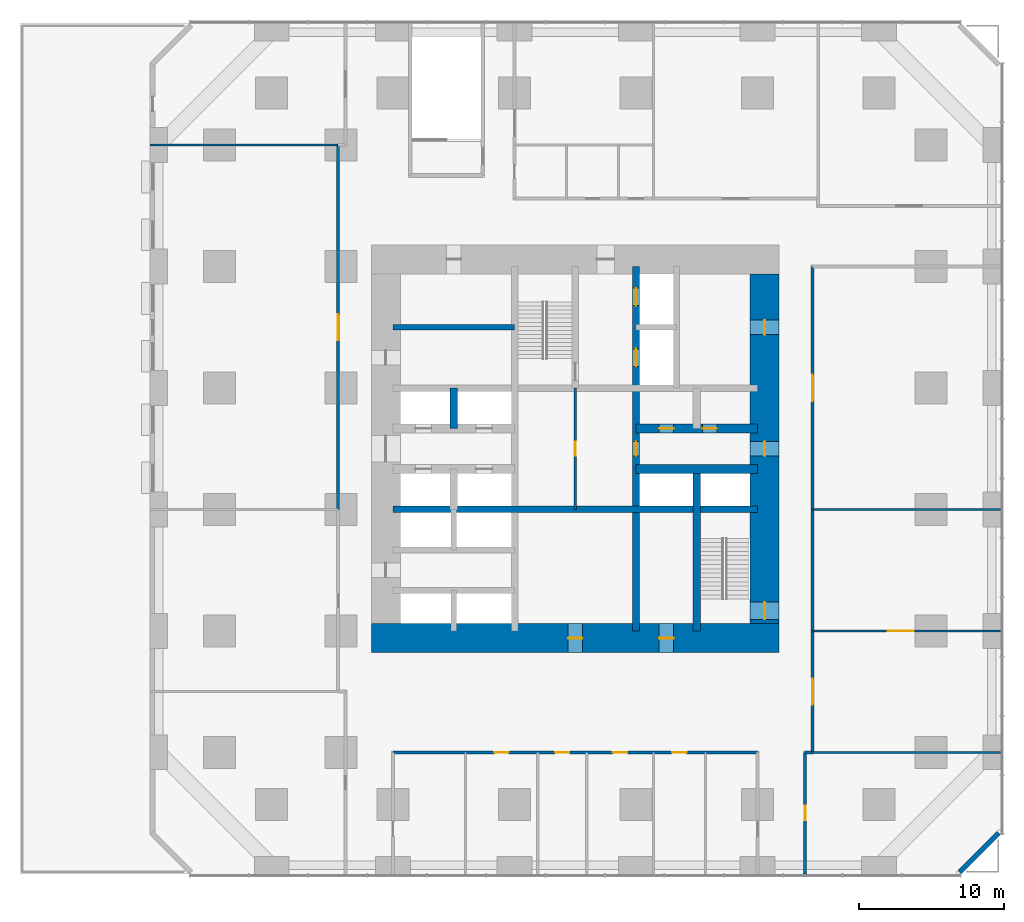
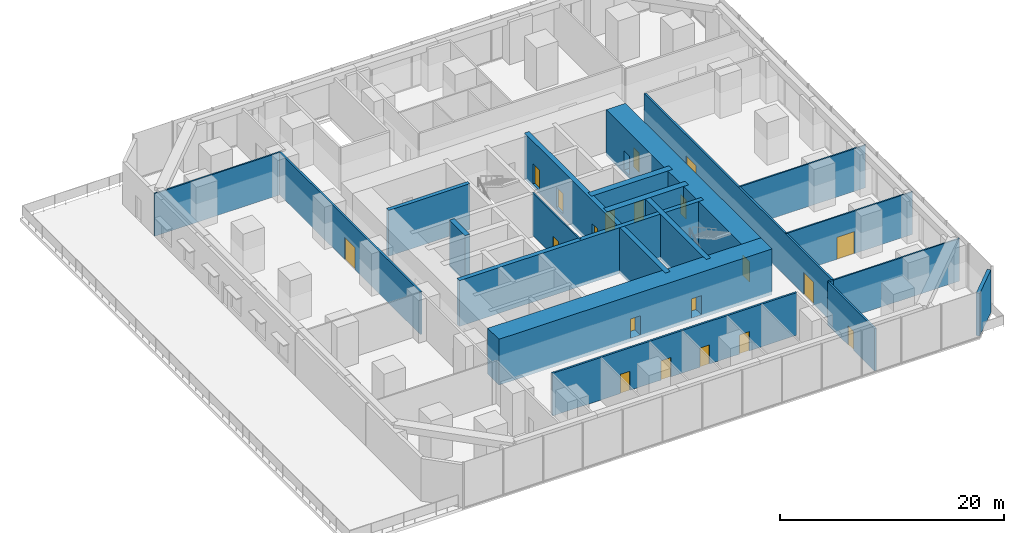
# One storey, part 8 of 12: 20 doors, 20 walls, 20 openings.
"""IFC4 building model written with IfcOpenShell, lengths in metres."""

from ifc_helpers import new_model, si_unit, direction, frame, frame_2d, origin, place, context, subcontext, project, spatial, rectangle, extrude, material, layer, layer_set, type_object, element, fill, save


model = new_model("IFC4")

# Units and contexts
model_context = context("Model", 3, precision=1e-05, world=origin(), true_north=direction((0.0, 1.0)))
body_context = subcontext(model_context, "Body", "Model", "MODEL_VIEW")
ifc_project = project(units=[si_unit("LENGTHUNIT", "METRE"), si_unit("AREAUNIT", "SQUARE_METRE"), si_unit("VOLUMEUNIT", "CUBIC_METRE"), si_unit("PLANEANGLEUNIT", "RADIAN"), si_unit("MASSUNIT", "GRAM", prefix="KILO")], contexts=[model_context])

# Site, building, storey
site_placement = place(None, origin())
site = spatial("IfcSite", under=ifc_project, at=site_placement, CompositionType="ELEMENT")
building_placement = place(site_placement, origin())
building = spatial("IfcBuilding", under=site, at=building_placement, Name="Dunama Terrace Hotel", CompositionType="ELEMENT")
storey_placement = place(building_placement, frame((0.0, 0.0, 22.0)))
storey = spatial("IfcBuildingStorey", under=building, at=storey_placement, Name="L04", CompositionType="ELEMENT", Elevation=22.0)

# Walls
ifc_material_1 = material(Name="Concrete C50/60", Category="concrete")
ifc_layer_1 = layer(ifc_material_1, 0.39990234375)
ifc_layer_set_1 = layer_set([ifc_layer_1], Name="Core inner wall 400")
wall_type_1 = type_object("IfcWallType", Name="Core inner wall 400", PredefinedType="SHEAR", material=ifc_layer_set_1)
wall_1_placement = place(storey_placement, frame((16.800048828125, 37.800048828125, -0.35009765625), z_axis=(0.0, 0.0, 1.0), x_axis=(1.0, 0.0, 0.0)))
element("IfcWall", 1, at=wall_1_placement, inside=storey, type_object=wall_type_1, Name="Core inner wall 400 L04", PredefinedType="SHEAR", context=body_context, shape_type="SweptSolid", body=[
    extrude(rectangle(XDim=8.39990234375, YDim=0.39990234375, at=frame_2d((4.199951171875, 0.0))), origin(), (0.0, 0.0, 1.0), 5.0),
])
ifc_material_2 = material(Name="Concrete C50/60", Category="concrete")
ifc_layer_2 = layer(ifc_material_2, 0.449951171875)
ifc_layer_set_2 = layer_set([ifc_layer_2], Name="Core inner wall 450")
wall_type_2 = type_object("IfcWallType", Name="Core inner wall 450", PredefinedType="SHEAR", material=ifc_layer_set_2)
wall_2_placement = place(storey_placement, frame((16.800048828125, 25.199951171875, -0.35009765625), z_axis=(0.0, 0.0, 1.0), x_axis=(1.0, 0.0, 0.0)))
element("IfcWall", 2, at=wall_2_placement, inside=storey, type_object=wall_type_2, Name="Core inner wall 450 L04", PredefinedType="SHEAR", context=body_context, shape_type="SweptSolid", body=[
    extrude(rectangle(XDim=25.199951171875, YDim=0.449951171875, at=frame_2d((12.60009765625, 0.0))), origin(), (0.0, 0.0, 1.0), 5.0),
])
ifc_material_3 = material(Name="Concrete C50/60", Category="concrete")
ifc_layer_3 = layer(ifc_material_3, 0.5)
ifc_layer_set_3 = layer_set([ifc_layer_3], Name="Core inner wall 500")
wall_type_3 = type_object("IfcWallType", Name="Core inner wall 500", PredefinedType="SHEAR", material=ifc_layer_set_3)
wall_3_placement = place(storey_placement, frame((21.0, 30.800048828125, -0.35009765625), z_axis=(0.0, 0.0, 1.0), x_axis=(0.0, 1.0, 0.0)))
element("IfcWall", 3, at=wall_3_placement, inside=storey, type_object=wall_type_3, Name="Core inner wall 500 L04", PredefinedType="SHEAR", context=body_context, shape_type="SweptSolid", body=[
    extrude(rectangle(XDim=2.800048828125, YDim=0.5, at=frame_2d((1.39990234375, 0.0))), origin(), (0.0, 0.0, 1.0), 5.0),
])

# Wall, openings, doors
wall_4_placement = place(storey_placement, frame((33.60009765625, 16.800048828125, -0.35009765625), z_axis=(0.0, 0.0, 1.0), x_axis=(0.0, 1.0, 0.0)))
wall_4 = element("IfcWall", 4, at=wall_4_placement, inside=storey, type_object=wall_type_3, Name="Core inner wall 500 L04", PredefinedType="SHEAR", context=body_context, shape_type="SweptSolid", body=[
    extrude(rectangle(XDim=25.199951171875, YDim=0.5, at=frame_2d((12.60009765625, 0.0))), origin(), (0.0, 0.0, 1.0), 5.0),
])
opening_1_placement = place(wall_4_placement, frame((22.5, 0.0, 0.35009765625)))
opening_1 = element("IfcOpeningElement", 5, at=opening_1_placement, cuts=wall_4, Name="Opening L04-010", PredefinedType="OPENING", context=body_context, shape_type="SweptSolid", body=[
    extrude(rectangle(XDim=1.199951171875, YDim=2.199951171875, at=frame_2d((0.60009765625, 1.10009765625))), frame((0.0, 0.260009765625, 0.0), z_axis=(0.0, -1.0, 0.0), x_axis=(1.0, 0.0, 0.0)), (0.0, 0.0, 1.0), 0.52001953125),
])
opening_2_placement = place(wall_4_placement, frame((18.300048828125, 0.0, 0.35009765625)))
opening_2 = element("IfcOpeningElement", 6, at=opening_2_placement, cuts=wall_4, Name="Opening L04-011", PredefinedType="OPENING", context=body_context, shape_type="SweptSolid", body=[
    extrude(rectangle(XDim=1.199951171875, YDim=2.199951171875, at=frame_2d((0.60009765625, 1.10009765625))), frame((0.0, 0.260009765625, 0.0), z_axis=(0.0, -1.0, 0.0), x_axis=(1.0, 0.0, 0.0)), (0.0, 0.0, 1.0), 0.52001953125),
])
opening_3_placement = place(wall_4_placement, frame((12.10009765625, 0.0, 0.35009765625)))
opening_3 = element("IfcOpeningElement", 7, at=opening_3_placement, cuts=wall_4, Name="Opening L04-016", PredefinedType="OPENING", context=body_context, shape_type="SweptSolid", body=[
    extrude(rectangle(XDim=1.0, YDim=2.10009765625, at=frame_2d((0.5, 1.050048828125))), frame((0.0, 0.260009765625, 0.0), z_axis=(0.0, -1.0, 0.0), x_axis=(1.0, 0.0, 0.0)), (0.0, 0.0, 1.0), 0.52001953125),
])
ifc_material_4 = material(Name="Stainless steel lift door", Category="steel")
door_type_1 = type_object("IfcDoorType", Name="Firefighting lift landing door 1200", OperationType="DOUBLE_DOOR_SLIDING", PredefinedType="DOOR", material=ifc_material_4)
door_1_placement = place(opening_1_placement, origin())
door_1 = element("IfcDoor", 8, at=door_1_placement, inside=storey, type_object=door_type_1, Name="Landing door FL1 L04-010, type LD2", OperationType="DOUBLE_DOOR_SLIDING", OverallHeight=2.199951171875, OverallWidth=1.199951171875, PredefinedType="DOOR", context=body_context, shape_type="SweptSolid", body=[
    extrude(rectangle(XDim=1.199951171875, YDim=2.199951171875, at=frame_2d((0.60009765625, 1.10009765625))), frame((0.0, 0.02490234375, 0.0), z_axis=(0.0, -1.0, 0.0), x_axis=(1.0, 0.0, 0.0)), (0.0, 0.0, 1.0), 0.050048828125),
])
fill(opening_1, door_1)
door_2_placement = place(opening_2_placement, origin())
door_2 = element("IfcDoor", 9, at=door_2_placement, inside=storey, type_object=door_type_1, Name="Landing door FL2 L04-011, type LD2", OperationType="DOUBLE_DOOR_SLIDING", OverallHeight=2.199951171875, OverallWidth=1.199951171875, PredefinedType="DOOR", context=body_context, shape_type="SweptSolid", body=[
    extrude(rectangle(XDim=1.199951171875, YDim=2.199951171875, at=frame_2d((0.60009765625, 1.10009765625))), frame((0.0, 0.02490234375, 0.0), z_axis=(0.0, -1.0, 0.0), x_axis=(1.0, 0.0, 0.0)), (0.0, 0.0, 1.0), 0.050048828125),
])
fill(opening_2, door_2)
ifc_material_5 = material(Name="Timber door with steel frame", Category="steel")
door_type_2 = type_object("IfcDoorType", Name="Service door 1000", OperationType="SINGLE_SWING_LEFT", PredefinedType="DOOR", material=ifc_material_5)
door_3_placement = place(opening_3_placement, origin())
door_3 = element("IfcDoor", 10, at=door_3_placement, inside=storey, type_object=door_type_2, Name="Door to linen store L04-016, type D7", OperationType="SINGLE_SWING_LEFT", OverallHeight=2.10009765625, OverallWidth=1.0, PredefinedType="DOOR", context=body_context, shape_type="SweptSolid", body=[
    extrude(rectangle(XDim=1.0, YDim=2.10009765625, at=frame_2d((0.5, 1.050048828125))), frame((0.0, 0.02490234375, 0.0), z_axis=(0.0, -1.0, 0.0), x_axis=(1.0, 0.0, 0.0)), (0.0, 0.0, 1.0), 0.050048828125),
])
fill(opening_3, door_3)

# Walls
wall_5_placement = place(storey_placement, frame((37.800048828125, 16.800048828125, -0.35009765625), z_axis=(0.0, 0.0, 1.0), x_axis=(0.0, 1.0, 0.0)))
element("IfcWall", 11, at=wall_5_placement, inside=storey, type_object=wall_type_3, Name="Core inner wall 500 L04", PredefinedType="SHEAR", context=body_context, shape_type="SweptSolid", body=[
    extrude(rectangle(XDim=11.199951171875, YDim=0.5, at=frame_2d((5.60009765625, 0.0))), origin(), (0.0, 0.0, 1.0), 5.0),
])
ifc_material_6 = material(Name="Concrete C50/60", Category="concrete")
ifc_layer_4 = layer(ifc_material_6, 0.64990234375)
ifc_layer_set_4 = layer_set([ifc_layer_4], Name="Core inner wall 650")
wall_type_4 = type_object("IfcWallType", Name="Core inner wall 650", PredefinedType="SHEAR", material=ifc_layer_set_4)
wall_6_placement = place(storey_placement, frame((33.60009765625, 28.0, -0.35009765625), z_axis=(0.0, 0.0, 1.0), x_axis=(1.0, 0.0, 0.0)))
element("IfcWall", 12, at=wall_6_placement, inside=storey, type_object=wall_type_4, Name="Core inner wall 650 L04", PredefinedType="SHEAR", context=body_context, shape_type="SweptSolid", body=[
    extrude(rectangle(XDim=8.39990234375, YDim=0.64990234375, at=frame_2d((4.199951171875, 0.0))), origin(), (0.0, 0.0, 1.0), 5.0),
])

# Wall, openings, doors
wall_7_placement = place(storey_placement, frame((33.60009765625, 30.800048828125, -0.35009765625), z_axis=(0.0, 0.0, 1.0), x_axis=(1.0, 0.0, 0.0)))
wall_7 = element("IfcWall", 13, at=wall_7_placement, inside=storey, type_object=wall_type_4, Name="Core inner wall 650 L04", PredefinedType="SHEAR", context=body_context, shape_type="SweptSolid", body=[
    extrude(rectangle(XDim=8.39990234375, YDim=0.64990234375, at=frame_2d((4.199951171875, 0.0))), origin(), (0.0, 0.0, 1.0), 5.0),
])
opening_4_placement = place(wall_7_placement, frame((1.60009765625, 0.0, 0.35009765625)))
opening_4 = element("IfcOpeningElement", 14, at=opening_4_placement, cuts=wall_7, Name="Opening L04-018", PredefinedType="OPENING", context=body_context, shape_type="SweptSolid", body=[
    extrude(rectangle(XDim=1.0, YDim=2.10009765625, at=frame_2d((0.5, 1.050048828125))), frame((0.0, 0.3349609375, 0.0), z_axis=(0.0, -1.0, 0.0), x_axis=(1.0, 0.0, 0.0)), (0.0, 0.0, 1.0), 0.669921875),
])
opening_5_placement = place(wall_7_placement, frame((4.60009765625, 0.0, 0.35009765625)))
opening_5 = element("IfcOpeningElement", 15, at=opening_5_placement, cuts=wall_7, Name="Opening L04-019", PredefinedType="OPENING", context=body_context, shape_type="SweptSolid", body=[
    extrude(rectangle(XDim=1.0, YDim=2.10009765625, at=frame_2d((0.5, 1.050048828125))), frame((0.0, 0.3349609375, 0.0), z_axis=(0.0, -1.0, 0.0), x_axis=(1.0, 0.0, 0.0)), (0.0, 0.0, 1.0), 0.669921875),
])
door_4_placement = place(opening_4_placement, origin())
door_4 = element("IfcDoor", 16, at=door_4_placement, inside=storey, type_object=door_type_2, Name="Door to service riser L04-018, type D7", OperationType="SINGLE_SWING_RIGHT", OverallHeight=2.10009765625, OverallWidth=1.0, PredefinedType="DOOR", context=body_context, shape_type="SweptSolid", body=[
    extrude(rectangle(XDim=1.0, YDim=2.10009765625, at=frame_2d((0.5, 1.050048828125))), frame((0.0, 0.02490234375, 0.0), z_axis=(0.0, -1.0, 0.0), x_axis=(1.0, 0.0, 0.0)), (0.0, 0.0, 1.0), 0.050048828125),
])
fill(opening_4, door_4)
door_5_placement = place(opening_5_placement, origin())
door_5 = element("IfcDoor", 17, at=door_5_placement, inside=storey, type_object=door_type_2, Name="Door to staff accessible wc L04-019, type D7", OperationType="SINGLE_SWING_LEFT", OverallHeight=2.10009765625, OverallWidth=1.0, PredefinedType="DOOR", context=body_context, shape_type="SweptSolid", body=[
    extrude(rectangle(XDim=1.0, YDim=2.10009765625, at=frame_2d((0.5, 1.050048828125))), frame((0.0, 0.02490234375, 0.0), z_axis=(0.0, -1.0, 0.0), x_axis=(1.0, 0.0, 0.0)), (0.0, 0.0, 1.0), 0.050048828125),
])
fill(opening_5, door_5)

ifc_material_7 = material(Name="Concrete C60/75", Category="concrete")
ifc_layer_5 = layer(ifc_material_7, 2.0)
ifc_layer_set_5 = layer_set([ifc_layer_5], Name="Core wall 2000")
wall_type_5 = type_object("IfcWallType", Name="Core wall 2000", PredefinedType="SHEAR", material=ifc_layer_set_5)
wall_8_placement = place(storey_placement, frame((15.300048828125, 16.300048828125, -0.35009765625), z_axis=(0.0, 0.0, 1.0), x_axis=(1.0, 0.0, 0.0)))
wall_8 = element("IfcWall", 18, at=wall_8_placement, inside=storey, type_object=wall_type_5, Name="Core wall south L04", PredefinedType="SHEAR", context=body_context, shape_type="SweptSolid", body=[
    extrude(rectangle(XDim=28.199951171875, YDim=2.0, at=frame_2d((14.10009765625, 0.0))), origin(), (0.0, 0.0, 1.0), 5.0),
])
opening_6_placement = place(wall_8_placement, frame((13.60009765625, 0.0, 0.35009765625)))
opening_6 = element("IfcOpeningElement", 19, at=opening_6_placement, cuts=wall_8, Name="Opening L04-023", PredefinedType="OPENING", context=body_context, shape_type="SweptSolid", body=[
    extrude(rectangle(XDim=1.0, YDim=2.10009765625, at=frame_2d((0.5, 1.050048828125))), frame((0.0, 1.010009765625, 0.0), z_axis=(0.0, -1.0, 0.0), x_axis=(1.0, 0.0, 0.0)), (0.0, 0.0, 1.0), 2.02001953125),
])
opening_7_placement = place(wall_8_placement, frame((19.89990234375, 0.0, 0.35009765625)))
opening_7 = element("IfcOpeningElement", 20, at=opening_7_placement, cuts=wall_8, Name="Opening L04-024", PredefinedType="OPENING", context=body_context, shape_type="SweptSolid", body=[
    extrude(rectangle(XDim=1.0, YDim=2.10009765625, at=frame_2d((0.5, 1.050048828125))), frame((0.0, 1.010009765625, 0.0), z_axis=(0.0, -1.0, 0.0), x_axis=(1.0, 0.0, 0.0)), (0.0, 0.0, 1.0), 2.02001953125),
])
door_6_placement = place(opening_6_placement, origin())
door_6 = element("IfcDoor", 21, at=door_6_placement, inside=storey, type_object=door_type_2, Name="Door to floor air handling room L04-023, type D7", OperationType="SINGLE_SWING_RIGHT", OverallHeight=2.10009765625, OverallWidth=1.0, PredefinedType="DOOR", context=body_context, shape_type="SweptSolid", body=[
    extrude(rectangle(XDim=1.0, YDim=2.10009765625, at=frame_2d((0.5, 1.050048828125))), frame((0.0, 0.02490234375, 0.0), z_axis=(0.0, -1.0, 0.0), x_axis=(1.0, 0.0, 0.0)), (0.0, 0.0, 1.0), 0.050048828125),
])
fill(opening_6, door_6)
door_7_placement = place(opening_7_placement, origin())
door_7 = element("IfcDoor", 22, at=door_7_placement, inside=storey, type_object=door_type_2, Name="Door to water riser room L04-024, type D7", OperationType="SINGLE_SWING_RIGHT", OverallHeight=2.10009765625, OverallWidth=1.0, PredefinedType="DOOR", context=body_context, shape_type="SweptSolid", body=[
    extrude(rectangle(XDim=1.0, YDim=2.10009765625, at=frame_2d((0.5, 1.050048828125))), frame((0.0, 0.02490234375, 0.0), z_axis=(0.0, -1.0, 0.0), x_axis=(1.0, 0.0, 0.0)), (0.0, 0.0, 1.0), 0.050048828125),
])
fill(opening_7, door_7)

wall_9_placement = place(storey_placement, frame((42.5, 17.300048828125, -0.35009765625), z_axis=(0.0, 0.0, 1.0), x_axis=(0.0, 1.0, 0.0)))
wall_9 = element("IfcWall", 23, at=wall_9_placement, inside=storey, type_object=wall_type_5, Name="Core wall east L04", PredefinedType="SHEAR", context=body_context, shape_type="SweptSolid", body=[
    extrude(rectangle(XDim=24.199951171875, YDim=2.0, at=frame_2d((12.10009765625, 0.0))), origin(), (0.0, 0.0, 1.0), 5.0),
])
opening_8_placement = place(wall_9_placement, frame((0.300048828125, 0.0, 0.35009765625)))
opening_8 = element("IfcOpeningElement", 24, at=opening_8_placement, cuts=wall_9, Name="Opening L04-004", PredefinedType="OPENING", context=body_context, shape_type="SweptSolid", body=[
    extrude(rectangle(XDim=1.199951171875, YDim=2.199951171875, at=frame_2d((0.60009765625, 1.10009765625))), frame((0.0, 1.010009765625, 0.0), z_axis=(0.0, -1.0, 0.0), x_axis=(1.0, 0.0, 0.0)), (0.0, 0.0, 1.0), 2.02001953125),
])
opening_9_placement = place(wall_9_placement, frame((11.60009765625, 0.0, 0.35009765625)))
opening_9 = element("IfcOpeningElement", 25, at=opening_9_placement, cuts=wall_9, Name="Opening L04-020", PredefinedType="OPENING", context=body_context, shape_type="SweptSolid", body=[
    extrude(rectangle(XDim=1.0, YDim=2.10009765625, at=frame_2d((0.5, 1.050048828125))), frame((0.0, 1.010009765625, 0.0), z_axis=(0.0, -1.0, 0.0), x_axis=(1.0, 0.0, 0.0)), (0.0, 0.0, 1.0), 2.02001953125),
])
opening_10_placement = place(wall_9_placement, frame((20.0, 0.0, 0.35009765625)))
opening_10 = element("IfcOpeningElement", 26, at=opening_10_placement, cuts=wall_9, Name="Opening L04-022", PredefinedType="OPENING", context=body_context, shape_type="SweptSolid", body=[
    extrude(rectangle(XDim=1.0, YDim=2.10009765625, at=frame_2d((0.5, 1.050048828125))), frame((0.0, 1.010009765625, 0.0), z_axis=(0.0, -1.0, 0.0), x_axis=(1.0, 0.0, 0.0)), (0.0, 0.0, 1.0), 2.02001953125),
])
door_8_placement = place(opening_9_placement, origin())
door_8 = element("IfcDoor", 27, at=door_8_placement, inside=storey, type_object=door_type_2, Name="Door to service lobby L04-020, type D7", OperationType="SINGLE_SWING_LEFT", OverallHeight=2.10009765625, OverallWidth=1.0, PredefinedType="DOOR", context=body_context, shape_type="SweptSolid", body=[
    extrude(rectangle(XDim=1.0, YDim=2.10009765625, at=frame_2d((0.5, 1.050048828125))), frame((0.0, 0.02490234375, 0.0), z_axis=(0.0, -1.0, 0.0), x_axis=(1.0, 0.0, 0.0)), (0.0, 0.0, 1.0), 0.050048828125),
])
fill(opening_9, door_8)
door_9_placement = place(opening_10_placement, origin())
door_9 = element("IfcDoor", 28, at=door_9_placement, inside=storey, type_object=door_type_2, Name="Door to spa linen store L04-022, type D7", OperationType="SINGLE_SWING_LEFT", OverallHeight=2.10009765625, OverallWidth=1.0, PredefinedType="DOOR", context=body_context, shape_type="SweptSolid", body=[
    extrude(rectangle(XDim=1.0, YDim=2.10009765625, at=frame_2d((0.5, 1.050048828125))), frame((0.0, 0.02490234375, 0.0), z_axis=(0.0, -1.0, 0.0), x_axis=(1.0, 0.0, 0.0)), (0.0, 0.0, 1.0), 0.050048828125),
])
fill(opening_10, door_9)
ifc_material_8 = material(Name="Timber door with steel frame", Category="steel")
door_type_3 = type_object("IfcDoorType", Name="Stair door 1200", OperationType="SINGLE_SWING_LEFT", PredefinedType="DOOR", material=ifc_material_8)
door_10_placement = place(opening_8_placement, origin())
door_10 = element("IfcDoor", 29, at=door_10_placement, inside=storey, type_object=door_type_3, Name="Stair door ST2 L04-004, type D5", OperationType="SINGLE_SWING_LEFT", OverallHeight=2.199951171875, OverallWidth=1.199951171875, PredefinedType="DOOR", context=body_context, shape_type="SweptSolid", body=[
    extrude(rectangle(XDim=1.199951171875, YDim=2.199951171875, at=frame_2d((0.60009765625, 1.10009765625))), frame((0.0, 0.02490234375, 0.0), z_axis=(0.0, -1.0, 0.0), x_axis=(1.0, 0.0, 0.0)), (0.0, 0.0, 1.0), 0.050048828125),
])
fill(opening_8, door_10)

# Wall, opening, door
ifc_material_9 = material(Name="Concrete blockwork", Category="masonry")
ifc_layer_6 = layer(ifc_material_9, 0.199951171875)
ifc_layer_set_6 = layer_set([ifc_layer_6], Name="Corridor partition 200")
wall_type_6 = type_object("IfcWallType", Name="Corridor partition 200", PredefinedType="PARTITIONING", material=ifc_layer_set_6)
wall_10_placement = place(storey_placement, frame((45.300048828125, -0.02294921875, 0.0), z_axis=(0.0, 0.0, 1.0), x_axis=(0.0, 1.0, 0.0)))
wall_10 = element("IfcWall", 30, at=wall_10_placement, inside=storey, type_object=wall_type_6, Name="Corridor partition 200 L04", PredefinedType="PARTITIONING", context=body_context, shape_type="SweptSolid", body=[
    extrude(rectangle(XDim=8.4228515625, YDim=0.199951171875, at=frame_2d((4.21142578125, 0.0))), origin(), (0.0, 0.0, 1.0), 4.64990234375),
])
opening_11_placement = place(wall_10_placement, frame((3.722900390625, 0.0, 0.0)))
opening_11 = element("IfcOpeningElement", 31, at=opening_11_placement, cuts=wall_10, Name="Opening L04-040", PredefinedType="OPENING", context=body_context, shape_type="SweptSolid", body=[
    extrude(rectangle(XDim=1.0, YDim=2.10009765625, at=frame_2d((0.5, 1.050048828125))), frame((0.0, 0.10986328125, 0.0), z_axis=(0.0, -1.0, 0.0), x_axis=(1.0, 0.0, 0.0)), (0.0, 0.0, 1.0), 0.219970703125),
])
door_11_placement = place(opening_11_placement, frame((1.0, 0.0, 0.0), z_axis=(0.0, 0.0, 1.0), x_axis=(-1.0, 0.0, 0.0)))
door_11 = element("IfcDoor", 32, at=door_11_placement, inside=storey, type_object=door_type_2, Name="Door to fitness manager office L04-040, type D7", OperationType="SINGLE_SWING_RIGHT", OverallHeight=2.10009765625, OverallWidth=1.0, PredefinedType="DOOR", context=body_context, shape_type="SweptSolid", body=[
    extrude(rectangle(XDim=1.0, YDim=2.10009765625, at=frame_2d((0.5, 1.050048828125))), frame((0.0, 0.025146484375, 0.0), z_axis=(0.0, -1.0, 0.0), x_axis=(1.0, 0.0, 0.0)), (0.0, 0.0, 1.0), 0.050048828125),
])
fill(opening_11, door_11)

# Wall, openings, doors
wall_11_placement = place(storey_placement, frame((45.800048828125, 8.39990234375, 0.0), z_axis=(0.0, 0.0, 1.0), x_axis=(0.0, 1.0, 0.0)))
wall_11 = element("IfcWall", 33, at=wall_11_placement, inside=storey, type_object=wall_type_6, Name="Corridor partition 200 L04", PredefinedType="PARTITIONING", context=body_context, shape_type="SweptSolid", body=[
    extrude(rectangle(XDim=33.60009765625, YDim=0.199951171875, at=frame_2d((16.800048828125, 0.0))), origin(), (0.0, 0.0, 1.0), 4.64990234375),
])
opening_12_placement = place(wall_11_placement, frame((24.300048828125, 0.0, 0.0)))
opening_12 = element("IfcOpeningElement", 34, at=opening_12_placement, cuts=wall_11, Name="Opening L04-026", PredefinedType="OPENING", context=body_context, shape_type="SweptSolid", body=[
    extrude(rectangle(XDim=1.800048828125, YDim=2.39990234375, at=frame_2d((0.89990234375, 1.199951171875))), frame((0.0, 0.10986328125, 0.0), z_axis=(0.0, -1.0, 0.0), x_axis=(1.0, 0.0, 0.0)), (0.0, 0.0, 1.0), 0.219970703125),
])
opening_13_placement = place(wall_11_placement, frame((3.300048828125, 0.0, 0.0)))
opening_13 = element("IfcOpeningElement", 35, at=opening_13_placement, cuts=wall_11, Name="Opening L04-029", PredefinedType="OPENING", context=body_context, shape_type="SweptSolid", body=[
    extrude(rectangle(XDim=1.800048828125, YDim=2.39990234375, at=frame_2d((0.89990234375, 1.199951171875))), frame((0.0, 0.10986328125, 0.0), z_axis=(0.0, -1.0, 0.0), x_axis=(1.0, 0.0, 0.0)), (0.0, 0.0, 1.0), 0.219970703125),
])
ifc_material_10 = material(Name="Aluminium-framed glazed door", Category="aluminium")
door_type_4 = type_object("IfcDoorType", Name="Glazed double door 1800", OperationType="DOUBLE_DOOR_DOUBLE_SWING", PredefinedType="DOOR", material=ifc_material_10)
door_12_placement = place(opening_12_placement, origin())
door_12 = element("IfcDoor", 36, at=door_12_placement, inside=storey, type_object=door_type_4, Name="Door to exercise studio L04-026, type D8", OperationType="DOUBLE_DOOR_DOUBLE_SWING", OverallHeight=2.39990234375, OverallWidth=1.800048828125, PredefinedType="DOOR", context=body_context, shape_type="SweptSolid", body=[
    extrude(rectangle(XDim=1.800048828125, YDim=2.39990234375, at=frame_2d((0.89990234375, 1.199951171875))), frame((0.0, 0.02490234375, 0.0), z_axis=(0.0, -1.0, 0.0), x_axis=(1.0, 0.0, 0.0)), (0.0, 0.0, 1.0), 0.050048828125),
])
fill(opening_12, door_12)
door_13_placement = place(opening_13_placement, origin())
door_13 = element("IfcDoor", 37, at=door_13_placement, inside=storey, type_object=door_type_4, Name="Door to children's club L04-029, type D8", OperationType="DOUBLE_DOOR_DOUBLE_SWING", OverallHeight=2.39990234375, OverallWidth=1.800048828125, PredefinedType="DOOR", context=body_context, shape_type="SweptSolid", body=[
    extrude(rectangle(XDim=1.800048828125, YDim=2.39990234375, at=frame_2d((0.89990234375, 1.199951171875))), frame((0.0, 0.02490234375, 0.0), z_axis=(0.0, -1.0, 0.0), x_axis=(1.0, 0.0, 0.0)), (0.0, 0.0, 1.0), 0.050048828125),
])
fill(opening_13, door_13)

wall_12_placement = place(storey_placement, frame((16.800048828125, 8.39990234375, 0.0), z_axis=(0.0, 0.0, 1.0), x_axis=(1.0, 0.0, 0.0)))
wall_12 = element("IfcWall", 38, at=wall_12_placement, inside=storey, type_object=wall_type_6, Name="Corridor partition 200 L04", PredefinedType="PARTITIONING", context=body_context, shape_type="SweptSolid", body=[
    extrude(rectangle(XDim=25.199951171875, YDim=0.199951171875, at=frame_2d((12.60009765625, 0.0))), origin(), (0.0, 0.0, 1.0), 4.64990234375),
])
opening_14_placement = place(wall_12_placement, frame((7.0, 0.0, 0.0)))
opening_14 = element("IfcOpeningElement", 39, at=opening_14_placement, cuts=wall_12, Name="Opening L04-035", PredefinedType="OPENING", context=body_context, shape_type="SweptSolid", body=[
    extrude(rectangle(XDim=1.0, YDim=2.10009765625, at=frame_2d((0.5, 1.050048828125))), frame((0.0, 0.10986328125, 0.0), z_axis=(0.0, -1.0, 0.0), x_axis=(1.0, 0.0, 0.0)), (0.0, 0.0, 1.0), 0.219970703125),
])
opening_15_placement = place(wall_12_placement, frame((11.199951171875, 0.0, 0.0)))
opening_15 = element("IfcOpeningElement", 40, at=opening_15_placement, cuts=wall_12, Name="Opening L04-036", PredefinedType="OPENING", context=body_context, shape_type="SweptSolid", body=[
    extrude(rectangle(XDim=1.0, YDim=2.10009765625, at=frame_2d((0.5, 1.050048828125))), frame((0.0, 0.10986328125, 0.0), z_axis=(0.0, -1.0, 0.0), x_axis=(1.0, 0.0, 0.0)), (0.0, 0.0, 1.0), 0.219970703125),
])
opening_16_placement = place(wall_12_placement, frame((15.199951171875, 0.0, 0.0)))
opening_16 = element("IfcOpeningElement", 41, at=opening_16_placement, cuts=wall_12, Name="Opening L04-037", PredefinedType="OPENING", context=body_context, shape_type="SweptSolid", body=[
    extrude(rectangle(XDim=1.0, YDim=2.10009765625, at=frame_2d((0.5, 1.050048828125))), frame((0.0, 0.10986328125, 0.0), z_axis=(0.0, -1.0, 0.0), x_axis=(1.0, 0.0, 0.0)), (0.0, 0.0, 1.0), 0.219970703125),
])
opening_17_placement = place(wall_12_placement, frame((19.300048828125, 0.0, 0.0)))
opening_17 = element("IfcOpeningElement", 42, at=opening_17_placement, cuts=wall_12, Name="Opening L04-038", PredefinedType="OPENING", context=body_context, shape_type="SweptSolid", body=[
    extrude(rectangle(XDim=1.0, YDim=2.10009765625, at=frame_2d((0.5, 1.050048828125))), frame((0.0, 0.10986328125, 0.0), z_axis=(0.0, -1.0, 0.0), x_axis=(1.0, 0.0, 0.0)), (0.0, 0.0, 1.0), 0.219970703125),
])
door_14_placement = place(opening_14_placement, frame((1.0, 0.0, 0.0), z_axis=(0.0, 0.0, 1.0), x_axis=(-1.0, 0.0, 0.0)))
door_14 = element("IfcDoor", 43, at=door_14_placement, inside=storey, type_object=door_type_2, Name="Door to personal training room 2 L04-035, type D7", OperationType="SINGLE_SWING_LEFT", OverallHeight=2.10009765625, OverallWidth=1.0, PredefinedType="DOOR", context=body_context, shape_type="SweptSolid", body=[
    extrude(rectangle(XDim=1.0, YDim=2.10009765625, at=frame_2d((0.5, 1.050048828125))), frame((0.0, 0.025146484375, 0.0), z_axis=(0.0, -1.0, 0.0), x_axis=(1.0, 0.0, 0.0)), (0.0, 0.0, 1.0), 0.050048828125),
])
fill(opening_14, door_14)
door_15_placement = place(opening_15_placement, frame((1.0, 0.0, 0.0), z_axis=(0.0, 0.0, 1.0), x_axis=(-1.0, 0.0, 0.0)))
door_15 = element("IfcDoor", 44, at=door_15_placement, inside=storey, type_object=door_type_2, Name="Door to physiotherapy room 1 L04-036, type D7", OperationType="SINGLE_SWING_RIGHT", OverallHeight=2.10009765625, OverallWidth=1.0, PredefinedType="DOOR", context=body_context, shape_type="SweptSolid", body=[
    extrude(rectangle(XDim=1.0, YDim=2.10009765625, at=frame_2d((0.5, 1.050048828125))), frame((0.0, 0.025146484375, 0.0), z_axis=(0.0, -1.0, 0.0), x_axis=(1.0, 0.0, 0.0)), (0.0, 0.0, 1.0), 0.050048828125),
])
fill(opening_15, door_15)
door_16_placement = place(opening_16_placement, frame((1.0, 0.0, 0.0), z_axis=(0.0, 0.0, 1.0), x_axis=(-1.0, 0.0, 0.0)))
door_16 = element("IfcDoor", 45, at=door_16_placement, inside=storey, type_object=door_type_2, Name="Door to physiotherapy room 2 L04-037, type D7", OperationType="SINGLE_SWING_LEFT", OverallHeight=2.10009765625, OverallWidth=1.0, PredefinedType="DOOR", context=body_context, shape_type="SweptSolid", body=[
    extrude(rectangle(XDim=1.0, YDim=2.10009765625, at=frame_2d((0.5, 1.050048828125))), frame((0.0, 0.025146484375, 0.0), z_axis=(0.0, -1.0, 0.0), x_axis=(1.0, 0.0, 0.0)), (0.0, 0.0, 1.0), 0.050048828125),
])
fill(opening_16, door_16)
door_17_placement = place(opening_17_placement, frame((1.0, 0.0, 0.0), z_axis=(0.0, 0.0, 1.0), x_axis=(-1.0, 0.0, 0.0)))
door_17 = element("IfcDoor", 46, at=door_17_placement, inside=storey, type_object=door_type_2, Name="Door to sports massage room 1 L04-038, type D7", OperationType="SINGLE_SWING_LEFT", OverallHeight=2.10009765625, OverallWidth=1.0, PredefinedType="DOOR", context=body_context, shape_type="SweptSolid", body=[
    extrude(rectangle(XDim=1.0, YDim=2.10009765625, at=frame_2d((0.5, 1.050048828125))), frame((0.0, 0.025146484375, 0.0), z_axis=(0.0, -1.0, 0.0), x_axis=(1.0, 0.0, 0.0)), (0.0, 0.0, 1.0), 0.050048828125),
])
fill(opening_17, door_17)

# Wall
wall_13_placement = place(storey_placement, frame((45.300048828125, 8.39990234375, 0.0), z_axis=(0.0, 0.0, 1.0), x_axis=(1.0, 0.0, 0.0)))
element("IfcWall", 47, at=wall_13_placement, inside=storey, type_object=wall_type_6, Name="Corridor partition 200 L04", PredefinedType="PARTITIONING", context=body_context, shape_type="SweptSolid", body=[
    extrude(rectangle(XDim=0.5, YDim=0.199951171875, at=frame_2d((0.25, 0.0))), origin(), (0.0, 0.0, 1.0), 4.64990234375),
])

# Wall, opening, door
wall_14_placement = place(storey_placement, frame((13.0, 50.39990234375, 0.0), z_axis=(0.0, 0.0, 1.0), x_axis=(0.0, -1.0, 0.0)))
wall_14 = element("IfcWall", 48, at=wall_14_placement, inside=storey, type_object=wall_type_6, Name="Corridor partition 200 L04", PredefinedType="PARTITIONING", context=body_context, shape_type="SweptSolid", body=[
    extrude(rectangle(XDim=25.199951171875, YDim=0.199951171875, at=frame_2d((12.60009765625, 0.0))), origin(), (0.0, 0.0, 1.0), 4.64990234375),
])
opening_18_placement = place(wall_14_placement, frame((11.699951171875, 0.0, 0.0)))
opening_18 = element("IfcOpeningElement", 49, at=opening_18_placement, cuts=wall_14, Name="Opening L04-025", PredefinedType="OPENING", context=body_context, shape_type="SweptSolid", body=[
    extrude(rectangle(XDim=1.800048828125, YDim=2.39990234375, at=frame_2d((0.89990234375, 1.199951171875))), frame((0.0, 0.10986328125, 0.0), z_axis=(0.0, -1.0, 0.0), x_axis=(1.0, 0.0, 0.0)), (0.0, 0.0, 1.0), 0.219970703125),
])
door_18_placement = place(opening_18_placement, origin())
door_18 = element("IfcDoor", 50, at=door_18_placement, inside=storey, type_object=door_type_4, Name="Door to fitness centre L04-025, type D8", OperationType="DOUBLE_DOOR_DOUBLE_SWING", OverallHeight=2.39990234375, OverallWidth=1.800048828125, PredefinedType="DOOR", context=body_context, shape_type="SweptSolid", body=[
    extrude(rectangle(XDim=1.800048828125, YDim=2.39990234375, at=frame_2d((0.89990234375, 1.199951171875))), frame((0.0, 0.02490234375, 0.0), z_axis=(0.0, -1.0, 0.0), x_axis=(1.0, 0.0, 0.0)), (0.0, 0.0, 1.0), 0.050048828125),
])
fill(opening_18, door_18)

# Wall
ifc_material_11 = material(Name="Granite-faced concrete blockwork", Category="masonry")
ifc_layer_7 = layer(ifc_material_11, 0.35009765625)
ifc_layer_set_7 = layer_set([ifc_layer_7], Name="Podium external wall 350")
wall_type_7 = type_object("IfcWallType", Name="Podium external wall 350", PredefinedType="SOLIDWALL", material=ifc_layer_set_7)
wall_15_placement = place(storey_placement, frame((55.97607421875, 0.1240234375, 0.0), z_axis=(0.0, 0.0, 1.0), x_axis=(0.707106781187, 0.707106781187, 0.0)))
element("IfcWall", 51, at=wall_15_placement, inside=storey, type_object=wall_type_7, Name="Podium external wall 350 L04", PredefinedType="SOLIDWALL", context=body_context, shape_type="SweptSolid", body=[
    extrude(rectangle(XDim=3.818359375, YDim=0.35009765625, at=frame_2d((1.9091796875, 0.0))), origin(), (0.0, 0.0, 1.0), 4.64990234375),
])

# Wall, opening, door
ifc_material_12 = material(Name="Gypsum board partition", Category="masonry")
ifc_layer_8 = layer(ifc_material_12, 0.14990234375)
ifc_layer_set_8 = layer_set([ifc_layer_8], Name="Room partition 150")
wall_type_8 = type_object("IfcWallType", Name="Room partition 150", PredefinedType="PARTITIONING", material=ifc_layer_set_8)
wall_16_placement = place(storey_placement, frame((29.39990234375, 25.199951171875, 0.0), z_axis=(0.0, 0.0, 1.0), x_axis=(0.0, 1.0, 0.0)))
wall_16 = element("IfcWall", 52, at=wall_16_placement, inside=storey, type_object=wall_type_8, Name="Room partition 150 L04", PredefinedType="PARTITIONING", context=body_context, shape_type="SweptSolid", body=[
    extrude(rectangle(XDim=8.400146484375, YDim=0.14990234375, at=frame_2d((4.2001953125, 0.0))), origin(), (0.0, 0.0, 1.0), 4.64990234375),
])
opening_19_placement = place(wall_16_placement, frame((3.699951171875, 0.0, 0.0)))
opening_19 = element("IfcOpeningElement", 53, at=opening_19_placement, cuts=wall_16, Name="Opening L04-017", PredefinedType="OPENING", context=body_context, shape_type="SweptSolid", body=[
    extrude(rectangle(XDim=1.0, YDim=2.10009765625, at=frame_2d((0.5, 1.050048828125))), frame((0.0, 0.0849609375, 0.0), z_axis=(0.0, -1.0, 0.0), x_axis=(1.0, 0.0, 0.0)), (0.0, 0.0, 1.0), 0.169921875),
])
door_19_placement = place(opening_19_placement, origin())
door_19 = element("IfcDoor", 54, at=door_19_placement, inside=storey, type_object=door_type_2, Name="Door to housekeeping store L04-017, type D7", OperationType="SINGLE_SWING_LEFT", OverallHeight=2.10009765625, OverallWidth=1.0, PredefinedType="DOOR", context=body_context, shape_type="SweptSolid", body=[
    extrude(rectangle(XDim=1.0, YDim=2.10009765625, at=frame_2d((0.5, 1.050048828125))), frame((0.0, 0.02490234375, 0.0), z_axis=(0.0, -1.0, 0.0), x_axis=(1.0, 0.0, 0.0)), (0.0, 0.0, 1.0), 0.050048828125),
])
fill(opening_19, door_19)

# Wall
wall_17_placement = place(storey_placement, frame((45.800048828125, 8.39990234375, 0.0), z_axis=(0.0, 0.0, 1.0), x_axis=(1.0, 0.0, 0.0)))
element("IfcWall", 55, at=wall_17_placement, inside=storey, type_object=wall_type_8, Name="Room partition 150 L04", PredefinedType="PARTITIONING", context=body_context, shape_type="SweptSolid", body=[
    extrude(rectangle(XDim=13.02294921875, YDim=0.14990234375, at=frame_2d((6.511474609375, 0.0))), origin(), (0.0, 0.0, 1.0), 4.64990234375),
])

# Wall, opening, door
wall_18_placement = place(storey_placement, frame((45.800048828125, 16.800048828125, 0.0), z_axis=(0.0, 0.0, 1.0), x_axis=(1.0, 0.0, 0.0)))
wall_18 = element("IfcWall", 56, at=wall_18_placement, inside=storey, type_object=wall_type_8, Name="Room partition 150 L04", PredefinedType="PARTITIONING", context=body_context, shape_type="SweptSolid", body=[
    extrude(rectangle(XDim=13.02294921875, YDim=0.14990234375, at=frame_2d((6.511474609375, 0.0))), origin(), (0.0, 0.0, 1.0), 4.64990234375),
])
opening_20_placement = place(wall_18_placement, frame((5.199951171875, 0.0, 0.0)))
opening_20 = element("IfcOpeningElement", 57, at=opening_20_placement, cuts=wall_18, Name="Opening L04-030", PredefinedType="OPENING", context=body_context, shape_type="SweptSolid", body=[
    extrude(rectangle(XDim=1.800048828125, YDim=2.39990234375, at=frame_2d((0.89990234375, 1.199951171875))), frame((0.0, 0.0849609375, 0.0), z_axis=(0.0, -1.0, 0.0), x_axis=(1.0, 0.0, 0.0)), (0.0, 0.0, 1.0), 0.169921875),
])
door_20_placement = place(opening_20_placement, origin())
door_20 = element("IfcDoor", 58, at=door_20_placement, inside=storey, type_object=door_type_4, Name="Door to children's club activity room L04-030, type D8", OperationType="DOUBLE_DOOR_DOUBLE_SWING", OverallHeight=2.39990234375, OverallWidth=1.800048828125, PredefinedType="DOOR", context=body_context, shape_type="SweptSolid", body=[
    extrude(rectangle(XDim=1.800048828125, YDim=2.39990234375, at=frame_2d((0.89990234375, 1.199951171875))), frame((0.0, 0.02490234375, 0.0), z_axis=(0.0, -1.0, 0.0), x_axis=(1.0, 0.0, 0.0)), (0.0, 0.0, 1.0), 0.050048828125),
])
fill(opening_20, door_20)

# Walls
wall_19_placement = place(storey_placement, frame((45.800048828125, 25.199951171875, 0.0), z_axis=(0.0, 0.0, 1.0), x_axis=(1.0, 0.0, 0.0)))
element("IfcWall", 59, at=wall_19_placement, inside=storey, type_object=wall_type_8, Name="Room partition 150 L04", PredefinedType="PARTITIONING", context=body_context, shape_type="SweptSolid", body=[
    extrude(rectangle(XDim=13.02294921875, YDim=0.14990234375, at=frame_2d((6.511474609375, 0.0))), origin(), (0.0, 0.0, 1.0), 4.64990234375),
])
wall_20_placement = place(storey_placement, frame((0.0, 50.39990234375, 0.0), z_axis=(0.0, 0.0, 1.0), x_axis=(1.0, 0.0, 0.0)))
element("IfcWall", 60, at=wall_20_placement, inside=storey, type_object=wall_type_8, Name="Room partition 150 L04", PredefinedType="PARTITIONING", context=body_context, shape_type="SweptSolid", body=[
    extrude(rectangle(XDim=13.0, YDim=0.14990234375, at=frame_2d((6.5, 0.0))), origin(), (0.0, 0.0, 1.0), 4.64990234375),
])

save(model, "model.ifc")
